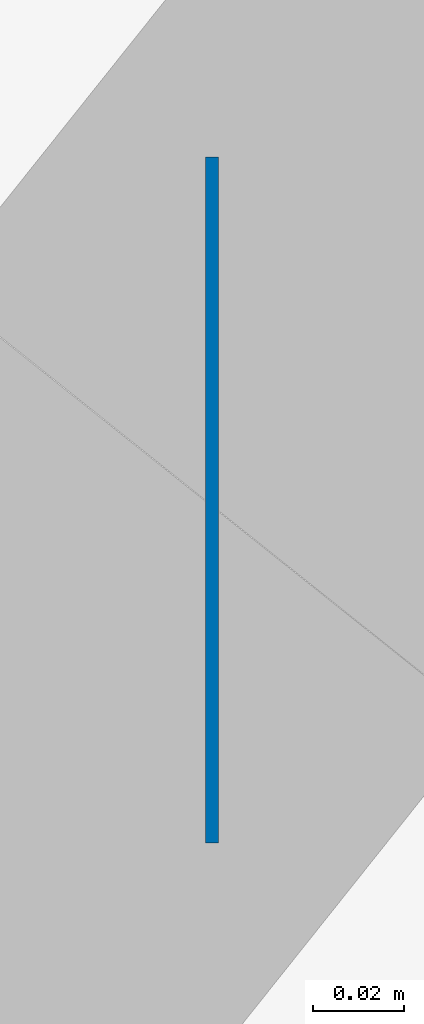
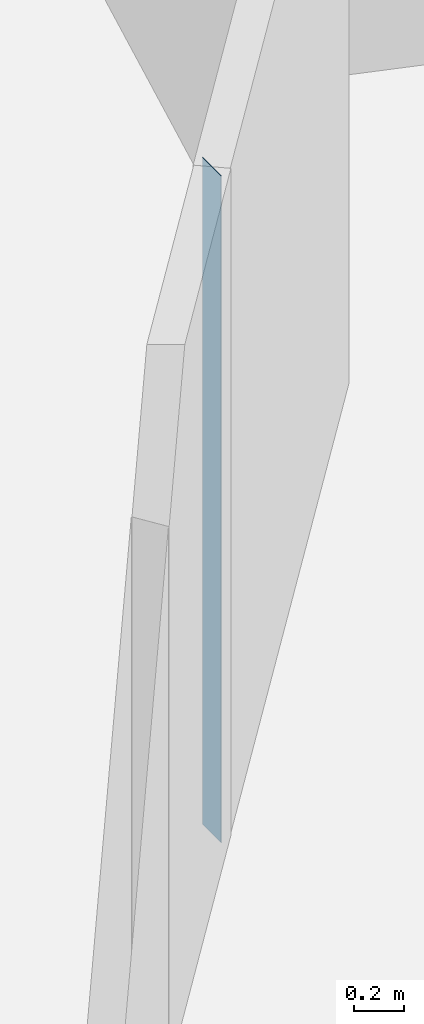
# One storey, part 5 of 13: 1 wall.
"""IFC4 building model written with IfcOpenShell, lengths in metres."""

from ifc_helpers import new_model, si_unit, direction, frame, frame_2d, origin, place, context, subcontext, project, spatial, rectangle, extrude, material, layer, layer_set, type_object, element, save


model = new_model("IFC4")

# Units and contexts
model_context = context("Model", 3, precision=1e-05, world=origin(), true_north=direction((0.0, 1.0)))
body_context = subcontext(model_context, "Body", "Model", "MODEL_VIEW")
ifc_project = project(units=[si_unit("LENGTHUNIT", "METRE"), si_unit("AREAUNIT", "SQUARE_METRE"), si_unit("VOLUMEUNIT", "CUBIC_METRE"), si_unit("PLANEANGLEUNIT", "RADIAN"), si_unit("MASSUNIT", "GRAM", prefix="KILO")], contexts=[model_context])

# Site, building, storey
site_placement = place(None, origin())
site = spatial("IfcSite", under=ifc_project, at=site_placement, CompositionType="ELEMENT")
building_placement = place(site_placement, origin())
building = spatial("IfcBuilding", under=site, at=building_placement, Name="Tracery Tower", CompositionType="ELEMENT")
storey_placement = place(building_placement, frame((0.0, 0.0, 316.199951171875)))
storey = spatial("IfcBuildingStorey", under=building, at=storey_placement, Name="L82", CompositionType="ELEMENT", Elevation=316.199951171875)

# Wall
ifc_material = material(Name="Plasterboard on steel studs", Category="steel")
ifc_layer = layer(ifc_material, 0.14990234375)
ifc_layer_set = layer_set([ifc_layer], Name="Partition 150 corridor wall")
wall_type = type_object("IfcWallType", Name="Partition 150 corridor wall", PredefinedType="PARTITIONING", material=ifc_layer_set)
wall_placement = place(storey_placement, frame((11.136962890625, -8.800048828125, 0.0), z_axis=(0.0, 0.0, 1.0), x_axis=(-1.0, 0.0, 0.0)))
element("IfcWall", 1, at=wall_placement, inside=storey, type_object=wall_type, Name="Corridor wall RC9-018", PredefinedType="PARTITIONING", context=body_context, shape_type="SweptSolid", body=[
    extrude(rectangle(XDim=0.0029296875, YDim=0.14990234375, at=frame_2d((0.00146484375, 0.0))), origin(), (0.0, 0.0, 1.0), 3.25),
])

save(model, "model.ifc")
